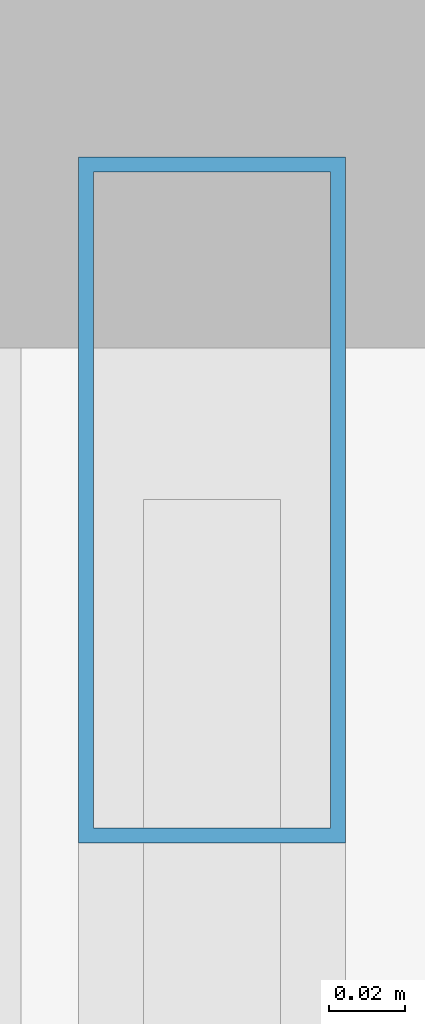
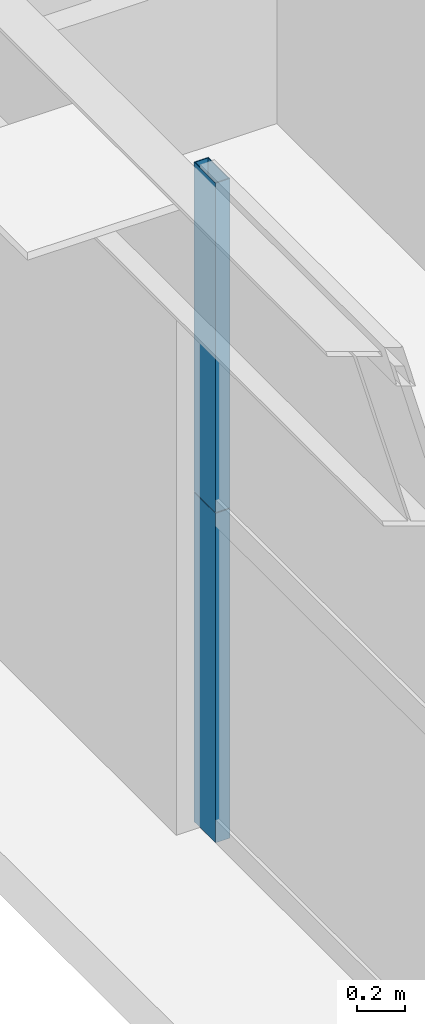
# One storey, part 24 of 43: 2 members, 1 element without a shape of its own.
"""IFC4 building model written with IfcOpenShell, lengths in metres."""

from ifc_helpers import new_model, si_unit, direction, frame, origin, origin_2d, place, context, subcontext, project, spatial, hollow_rectangle, extrude, source, transform, mapped, material, layer, layer_set, material_profile, profile_set, type_object, element, aggregate, save


model = new_model("IFC4")

# Units and contexts
model_context = context("Model", 3, precision=1e-05, world=origin(), true_north=direction((0.0, 1.0)))
body_context = subcontext(model_context, "Body", "Model", "MODEL_VIEW")
ifc_project = project(units=[si_unit("LENGTHUNIT", "METRE"), si_unit("AREAUNIT", "SQUARE_METRE"), si_unit("VOLUMEUNIT", "CUBIC_METRE"), si_unit("PLANEANGLEUNIT", "RADIAN"), si_unit("MASSUNIT", "GRAM", prefix="KILO"), si_unit("THERMODYNAMICTEMPERATUREUNIT", "KELVIN"), si_unit("POWERUNIT", "WATT")], contexts=[model_context])

# Site, building, storey
site_placement = place(None, origin())
site = spatial("IfcSite", under=ifc_project, at=site_placement, CompositionType="ELEMENT")
building_placement = place(site_placement, origin())
building = spatial("IfcBuilding", under=site, at=building_placement, Name="Yuzanri Waterfront Tower", CompositionType="ELEMENT")
storey_placement = place(building_placement, frame((0.0, 0.0, 78.39990234375)))
storey = spatial("IfcBuildingStorey", under=building, at=storey_placement, Name="L20", CompositionType="ELEMENT", Elevation=78.39990234375)

# Curtain wall, members
ifc_material_1 = material(Name="Anodized Architectural Bronze", Category="metal")
ifc_layer = layer(ifc_material_1, 0.159912109375)
ifc_layer_set = layer_set([ifc_layer], Name="Anodized Architectural Bronze")
curtain_wall_type = type_object("IfcCurtainWallType", Name="Anodized Bronze Hotel Lower-Tier Recessed Unitized Curtain Wall 8100", PredefinedType="NOTDEFINED", material=ifc_layer_set)
curtain_wall_placement = place(storey_placement, origin())
curtain_wall = element("IfcCurtainWall", 1, at=curtain_wall_placement, inside=storey, type_object=curtain_wall_type, Name="L20 Curtain Wall CW-L20-WR", PredefinedType="NOTDEFINED")
ifc_material_2 = material(Name="Anodized Architectural Bronze", Category="metal")
ifc_material_profile = material_profile(ifc_material_2, hollow_rectangle(XDim=0.070068359375, YDim=0.179931640625, WallThickness=0.00390625, at=origin_2d()), Name="CWM 70x180")
ifc_profile_set = profile_set([ifc_material_profile], Name="Anodized Architectural Bronze")
member_type = type_object("IfcMemberType", Name="Anodized Bronze Standard Curtain-Wall Mullion 70x180", PredefinedType="MULLION", material=ifc_profile_set)
shared_shape = source(origin(), body_context, "Body", "SweptSolid", [
    extrude(hollow_rectangle(XDim=0.070068359375, YDim=0.179931640625, WallThickness=0.00390625, at=origin_2d()), origin(), (0.0, 0.0, 1.0), 1.68798828125),
])
member_1_placement = place(storey_placement, frame((12.050048828125, 43.510009765625, 0.0), z_axis=(0.0, 0.0, 1.0), x_axis=(1.0, 0.0, 0.0)))
member_1 = element("IfcMember", 2, at=member_1_placement, type_object=member_type, Name="CW-L20-WR Lower Mullion 02", PredefinedType="MULLION", context=body_context, shape_type="MappedRepresentation", body=[
    mapped(shared_shape, transform((0.0, 0.0, 0.0), scale=1.0)),
])
member_2_placement = place(storey_placement, frame((12.050048828125, 43.510009765625, 1.692138671875), z_axis=(0.0, 0.0, 1.0), x_axis=(1.0, 0.0, 0.0)))
member_2 = element("IfcMember", 3, at=member_2_placement, type_object=member_type, Name="CW-L20-WR Upper Mullion 02", PredefinedType="MULLION", context=body_context, shape_type="MappedRepresentation", body=[
    mapped(shared_shape, transform((0.0, 0.0, 0.0), scale=1.0)),
])
aggregate(curtain_wall, [member_1, member_2])

save(model, "model.ifc")
